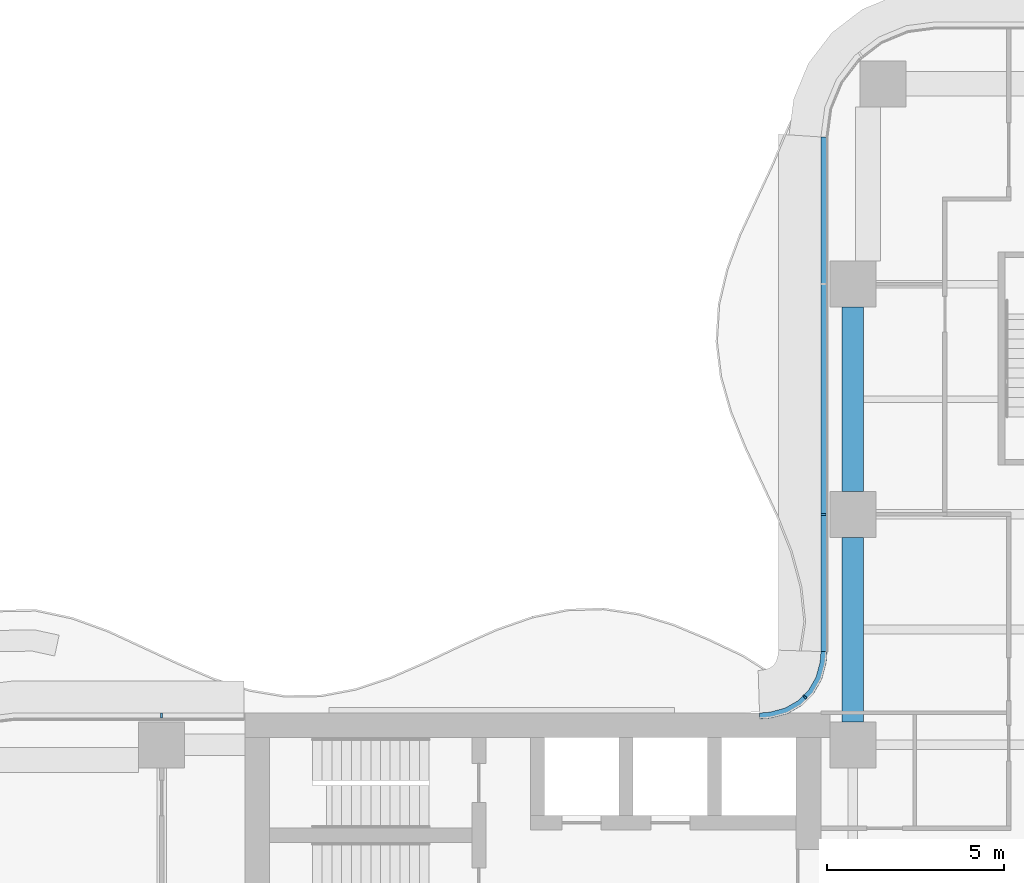
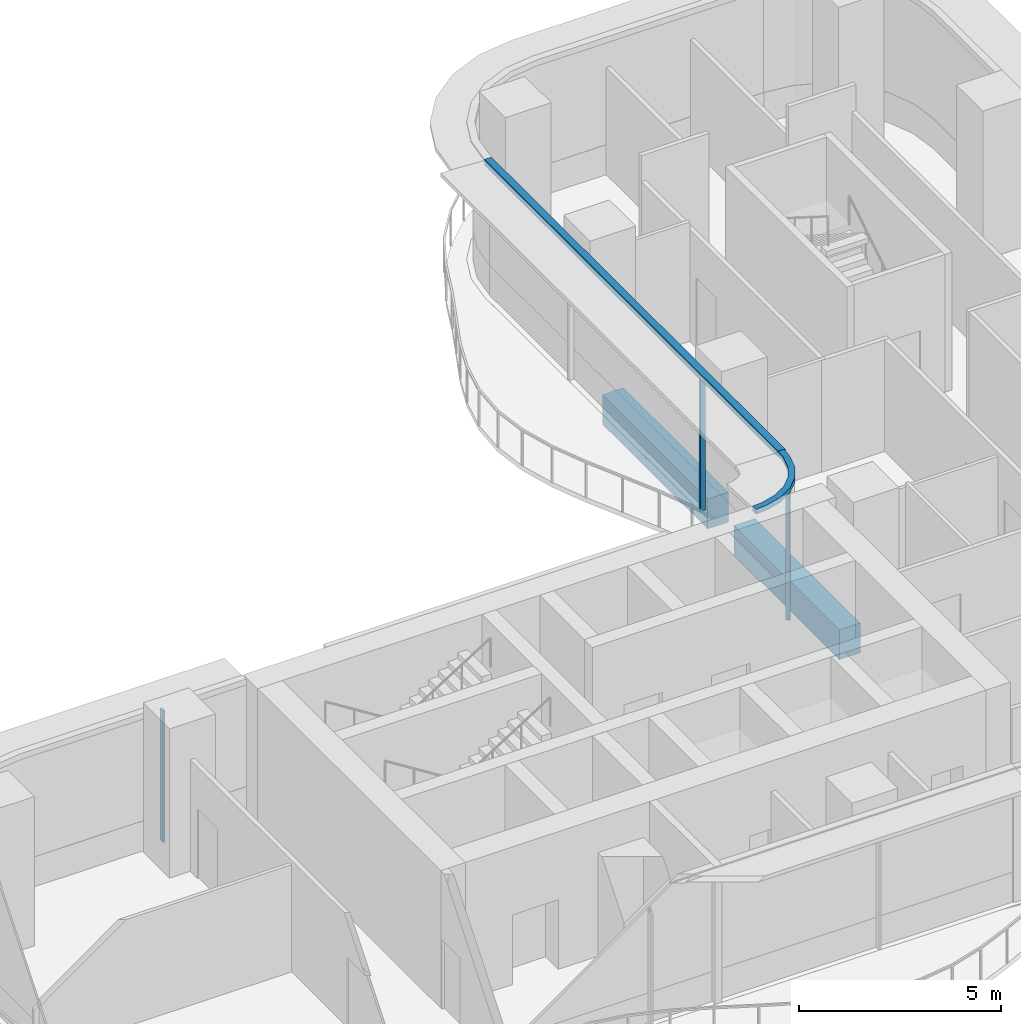
# One storey, part 8 of 20: 5 members, 2 beams, 3 elements without a shape of their own.
"""IFC4 building model written with IfcOpenShell, lengths in metres."""

import ifcopenshell
import ifcopenshell.guid

model = None  # the IFC model being written
_history = None  # IfcOwnerHistory: only IFC2X3 demands one
_inside = {}  # id of a spatial element -> (the spatial element, [elements in it])
_under = {}  # id of a project, library or spatial element -> (it, [spatial elements below it])
_declared = {}  # id of a project -> (the project, [libraries it declares])
_typed = {}  # id of a type object -> (the type object, [elements of that type])
_made_of = {}  # id of a material, layer set ... -> (it, [elements and type objects made of it])


def new_model(schema):
    """Start an empty IFC model of exactly this schema.

    Asked for "IFC4X3", IfcOpenShell would pick the latest addendum, in which some entities
    have other attributes; the version numbers below select the first issue.
    IFC2X3 requires an IfcOwnerHistory on every rooted entity: one is made here for all.
    """
    global model, _history
    if schema == "IFC4X3":
        model = ifcopenshell.file(schema_version=(4, 3, 0, 0))
    else:
        model = ifcopenshell.file(schema=schema)
    _inside.clear()
    _under.clear()
    _declared.clear()
    _typed.clear()
    _made_of.clear()
    _history = None
    if model.schema == "IFC2X3":
        org = make("IfcOrganization", Name="unknown")
        user = make(
            "IfcPersonAndOrganization",
            ThePerson=make("IfcPerson", FamilyName="unknown"),
            TheOrganization=org,
        )
        app = make(
            "IfcApplication",
            ApplicationDeveloper=org,
            Version="unknown",
            ApplicationFullName="unknown",
            ApplicationIdentifier="unknown",
        )
        _history = make(
            "IfcOwnerHistory",
            OwningUser=user,
            OwningApplication=app,
            ChangeAction="ADDED",
            CreationDate=0,
        )
    return model


def make(cls, **values):
    """One entity of the class cls with the attributes given. An attribute that is None is left unset."""
    return model.create_entity(
        cls, **{name: value for name, value in values.items() if value is not None}
    )


def rooted(cls, **values):
    """An entity with a GlobalId (a new one), such as an element, a storey or a relation."""
    return make(cls, GlobalId=ifcopenshell.guid.new(), OwnerHistory=_history, **values)


def si_unit(unit_type, name, prefix=None):
    """IfcSIUnit, for example si_unit("LENGTHUNIT", "METRE", prefix="MILLI")."""
    return make("IfcSIUnit", UnitType=unit_type, Prefix=prefix, Name=name)


def assignment(units):
    """IfcUnitAssignment: the units of a project."""
    return None if units is None else make("IfcUnitAssignment", Units=units)


def point(xyz):
    """IfcCartesianPoint."""
    return None if xyz is None else make("IfcCartesianPoint", Coordinates=xyz)


def direction(xyz):
    """IfcDirection."""
    return None if xyz is None else make("IfcDirection", DirectionRatios=xyz)


def frame(location, z_axis=None, x_axis=None):
    """IfcAxis2Placement3D, a coordinate frame: its origin and axes. An axis left out is left unset."""
    return make(
        "IfcAxis2Placement3D",
        Location=point(location),
        Axis=direction(z_axis),
        RefDirection=direction(x_axis),
    )


def frame_2d(location, x_axis=None):
    """IfcAxis2Placement2D, a coordinate frame in the plane: its origin and x axis."""
    return make(
        "IfcAxis2Placement2D", Location=point(location), RefDirection=direction(x_axis)
    )


def origin():
    """The frame at (0, 0, 0) with its axes left unset."""
    return frame((0.0, 0.0, 0.0))


def origin_2d():
    """The frame at (0, 0) in the plane with its x axis left unset."""
    return frame_2d((0.0, 0.0))


def place(relative_to, where):
    """IfcLocalPlacement: puts the frame where relative to a parent placement (None: the world)."""
    return make(
        "IfcLocalPlacement", PlacementRelTo=relative_to, RelativePlacement=where
    )


def context(
    kind, dimensions, precision=None, world=None, true_north=None, identifier=None
):
    """IfcGeometricRepresentationContext, for example the 3D "Model" context."""
    return make(
        "IfcGeometricRepresentationContext",
        ContextIdentifier=identifier,
        ContextType=kind,
        CoordinateSpaceDimension=dimensions,
        Precision=precision,
        WorldCoordinateSystem=world,
        TrueNorth=true_north,
    )


def subcontext(parent, identifier, kind, view, scale=None):
    """IfcGeometricRepresentationSubContext, for example "Body" below "Model"."""
    return make(
        "IfcGeometricRepresentationSubContext",
        ContextIdentifier=identifier,
        ContextType=kind,
        ParentContext=parent,
        TargetScale=scale,
        TargetView=view,
    )


def project(units=None, contexts=None):
    """IfcProject with its units and contexts."""
    return rooted(
        "IfcProject",
        Name="project",
        RepresentationContexts=contexts,
        UnitsInContext=assignment(units),
    )


def spatial(cls, under=None, at=None, **own):
    """A site, building, storey or space (cls), placed at a placement, below another one or the project."""
    s = rooted(cls, ObjectPlacement=at, **own)
    if under is not None:
        _under.setdefault(under.id(), (under, []))[1].append(s)
    return s


def polyline(points):
    """IfcPolyline through the points."""
    return make("IfcPolyline", Points=[point(p) for p in points])


def profile(cls, at=None, kind="AREA", **sizes):
    """A parametric profile (cls). Its sizes go by their IFC names, for example OverallWidth=200.0."""
    return make(cls, ProfileType=kind, Position=at, **sizes)


def rectangle(**sizes):
    """IfcRectangleProfileDef."""
    return profile("IfcRectangleProfileDef", **sizes)


def outline(outer, holes=None, kind="AREA"):
    """IfcArbitraryClosedProfileDef: a profile drawn as a closed curve; with holes, ...WithVoids."""
    if holes is None:
        return make("IfcArbitraryClosedProfileDef", ProfileType=kind, OuterCurve=outer)
    return make(
        "IfcArbitraryProfileDefWithVoids",
        ProfileType=kind,
        OuterCurve=outer,
        InnerCurves=holes,
    )


def extrude(swept, where, along, depth):
    """IfcExtrudedAreaSolid: the profile swept, set in the frame where, extruded along a direction by depth."""
    return make(
        "IfcExtrudedAreaSolid",
        SweptArea=swept,
        Position=where,
        ExtrudedDirection=direction(along),
        Depth=depth,
    )


def shape(context_of_items, identifier, shape_type, items):
    """IfcShapeRepresentation: the items that make up one representation, for example the "Body"."""
    return make(
        "IfcShapeRepresentation",
        ContextOfItems=context_of_items,
        RepresentationIdentifier=identifier,
        RepresentationType=shape_type,
        Items=items,
    )


def source(mapping_origin, context_of_items, identifier, shape_type, items):
    """IfcRepresentationMap: a shape defined once, which mapped items show again and again."""
    return make(
        "IfcRepresentationMap",
        MappingOrigin=mapping_origin,
        MappedRepresentation=shape(context_of_items, identifier, shape_type, items),
    )


def transform(
    local_origin,
    x_axis=None,
    y_axis=None,
    z_axis=None,
    scale=None,
    scale2=None,
    scale3=None,
    uniform=True,
):
    """IfcCartesianTransformationOperator3D, or its non-uniform kind. x_axis, y_axis, z_axis: its Axis1, 2, 3."""
    if uniform:
        return make(
            "IfcCartesianTransformationOperator3D",
            Axis1=direction(x_axis),
            Axis2=direction(y_axis),
            LocalOrigin=point(local_origin),
            Scale=scale,
            Axis3=direction(z_axis),
        )
    return make(
        "IfcCartesianTransformationOperator3DnonUniform",
        Axis1=direction(x_axis),
        Axis2=direction(y_axis),
        LocalOrigin=point(local_origin),
        Scale=scale,
        Axis3=direction(z_axis),
        Scale2=scale2,
        Scale3=scale3,
    )


def mapped(mapping_source, mapping_target):
    """IfcMappedItem: shows the shape of a source again, moved by a transform."""
    return make(
        "IfcMappedItem", MappingSource=mapping_source, MappingTarget=mapping_target
    )


def material(Name=None, Category=None):
    """IfcMaterial."""
    return make("IfcMaterial", Name=Name, Category=Category)


def layer(
    of_material, thickness, ventilated=None, Name=None, Category=None, Priority=None
):
    """IfcMaterialLayer: one layer of a wall or slab, of a material (None: an air gap)."""
    return make(
        "IfcMaterialLayer",
        Material=of_material,
        LayerThickness=thickness,
        IsVentilated=ventilated,
        Name=Name,
        Category=Category,
        Priority=Priority,
    )


def layer_set(layers, Name=None):
    """IfcMaterialLayerSet."""
    return make("IfcMaterialLayerSet", MaterialLayers=layers, LayerSetName=Name)


def material_profile(
    of_material, cross_section, Name=None, Category=None, Priority=None
):
    """IfcMaterialProfile: a cross section and its material."""
    return make(
        "IfcMaterialProfile",
        Name=Name,
        Material=of_material,
        Profile=cross_section,
        Priority=Priority,
        Category=Category,
    )


def profile_set(profiles, Name=None, composite=None):
    """IfcMaterialProfileSet."""
    return make(
        "IfcMaterialProfileSet",
        Name=Name,
        MaterialProfiles=profiles,
        CompositeProfile=composite,
    )


def made_of(thing, what):
    """Note that an element or type object is made of a material, layer set ...; save() writes the relation."""
    if what is not None:
        _made_of.setdefault(what.id(), (what, []))[1].append(thing)
    return thing


def type_object(cls, material=None, **own):
    """A type object (cls), such as IfcWallType, which elements share."""
    return made_of(rooted(cls, **own), material)


def element(
    cls,
    number,
    at=None,
    inside=None,
    cuts=None,
    type_object=None,
    material=None,
    context=None,
    identifier="Body",
    shape_type=None,
    held_by="IfcProductDefinitionShape",
    body=None,
    shapes=None,
    **own,
):
    """One element of the class cls, such as IfcWall. Its Tag is "e" and its number.

    at: its placement. inside: the storey or other place that contains it. cuts: it is an
    opening in that element (IfcRelVoidsElement). A single representation is given by context,
    identifier, shape_type and body (its items); several are given by shapes. held_by: the class
    of the entity that holds the representations. save() writes the other relations.
    """
    e = rooted(cls, Tag="e%d" % number, ObjectPlacement=at, **own)
    if body is not None:
        shapes = [shape(context, identifier, shape_type, body)]
    if shapes is not None:
        e.Representation = make(held_by, Representations=shapes)
    if inside is not None:
        _inside.setdefault(inside.id(), (inside, []))[1].append(e)
    if cuts is not None:
        rooted(
            "IfcRelVoidsElement", RelatingBuildingElement=cuts, RelatedOpeningElement=e
        )
    if type_object is not None:
        _typed.setdefault(type_object.id(), (type_object, []))[1].append(e)
    return made_of(e, material)


def aggregate(whole, parts):
    """IfcRelAggregates: a whole, such as a stair, and the parts it consists of."""
    return rooted("IfcRelAggregates", RelatingObject=whole, RelatedObjects=parts)


def save(model, path):
    """Write the relations noted so far, then the file.

    IfcRelAggregates (storeys below a building ...), IfcRelContainedInSpatialStructure (elements
    in a storey), IfcRelDefinesByType, IfcRelAssociatesMaterial and IfcRelDeclares: one each for
    every whole, place, type object, material and project.
    """
    for whole, parts in _under.values():
        aggregate(whole, parts)
    for where, things in _inside.values():
        rooted(
            "IfcRelContainedInSpatialStructure",
            RelatedElements=things,
            RelatingStructure=where,
        )
    for kind, things in _typed.values():
        rooted("IfcRelDefinesByType", RelatedObjects=things, RelatingType=kind)
    for what, things in _made_of.values():
        rooted("IfcRelAssociatesMaterial", RelatedObjects=things, RelatingMaterial=what)
    for by, libraries in _declared.values():
        rooted("IfcRelDeclares", RelatingContext=by, RelatedDefinitions=libraries)
    model.write(path)


model = new_model("IFC4")

# Units and contexts
model_context = context("Model", 3, precision=1e-05, world=origin(), true_north=direction((0.0, 1.0)))
body_context = subcontext(model_context, "Body", "Model", "MODEL_VIEW")
ifc_project = project(units=[si_unit("LENGTHUNIT", "METRE"), si_unit("AREAUNIT", "SQUARE_METRE"), si_unit("VOLUMEUNIT", "CUBIC_METRE"), si_unit("PLANEANGLEUNIT", "RADIAN"), si_unit("MASSUNIT", "GRAM", prefix="KILO")], contexts=[model_context])

# Site, building, storey
site_placement = place(None, origin())
site = spatial("IfcSite", under=ifc_project, at=site_placement, CompositionType="ELEMENT")
building_placement = place(site_placement, origin())
building = spatial("IfcBuilding", under=site, at=building_placement, Name="Trellis Farm Tower", CompositionType="ELEMENT")
storey_placement = place(building_placement, frame((0.0, 0.0, 151.5)))
storey = spatial("IfcBuildingStorey", under=building, at=storey_placement, Name="L32", CompositionType="ELEMENT", Elevation=151.5)

# Beams
ifc_material_1 = material(Name="Concrete C60/75", Category="concrete")
ifc_material_profile_1 = material_profile(ifc_material_1, rectangle(XDim=0.60009765625, YDim=0.89990234375, at=origin_2d()), Name="RC spandrel beam 600x900 C60/75")
ifc_profile_set_1 = profile_set([ifc_material_profile_1], Name="Concrete C60/75")
beam_type = type_object("IfcBeamType", Name="RC spandrel beam 600x900 C60/75", PredefinedType="SPANDREL", material=ifc_profile_set_1)
shared_shape_1 = source(origin(), body_context, "Body", "SweptSolid", [
    extrude(rectangle(XDim=0.60009765625, YDim=0.89990234375, at=origin_2d()), origin(), (0.0, 0.0, 1.0), 5.199951171875),
])
for number, where, z_axis, x_axis, name in (
    (1, (-5.60009765625, 6.25, -0.699951171875), (0.0, 1.0, 0.0), (-1.0, 0.0, 0.0), "Girder"),
    (2, (-5.60009765625, 12.75, -0.699951171875), (0.0, 1.0, 0.0), (-1.0, 0.0, 0.0), "Girder"),
):
    element("IfcBeam", number, at=place(storey_placement, frame(where, z_axis=z_axis, x_axis=x_axis)), inside=storey, type_object=beam_type, Name=name, PredefinedType="SPANDREL", context=body_context, shape_type="MappedRepresentation", body=[
        mapped(shared_shape_1, transform((0.0, 0.0, 0.0))),
    ])

# Curtain wall, member
ifc_material_2 = material(Name="Aluminium and glass curtain wall", Category="aluminium")
ifc_layer_1 = layer(ifc_material_2, 0.166015625)
ifc_layer_set_1 = layer_set([ifc_layer_1], Name="WINTER GARDEN CURTAIN WALL CW3")
curtain_wall_type_1 = type_object("IfcCurtainWallType", Name="WINTER GARDEN CURTAIN WALL CW3", PredefinedType="NOTDEFINED", material=ifc_layer_set_1)
placement = place(storey_placement, origin())
curtain_wall_1 = element("IfcCurtainWall", 3, at=placement, inside=storey, type_object=curtain_wall_type_1, Name="CW3 004", PredefinedType="NOTDEFINED")
ifc_material_3 = material(Name="Aluminium extrusion 6063-T6", Category="aluminium")
ifc_layer_2 = layer(ifc_material_3, 0.169921875)
ifc_layer_set_2 = layer_set([ifc_layer_2], Name="Aluminium extrusion 6063-T6")
member_type_1 = type_object("IfcMemberType", Name="CW3 TRANSOM 170x150", PredefinedType="USERDEFINED", material=ifc_layer_set_2)
shared_shape_2 = source(origin(), body_context, "Body", "SweptSolid", [
    extrude(outline(polyline([(-6.5, 8.2314453125), (-6.513916015625, 8.01953125), (-6.527587890625, 7.91552734375), (-6.63671875, 7.508544921875), (-6.846923828125, 7.144287109375), (-7.144287109375, 6.846923828125), (-7.508544921875, 6.63671875), (-7.91552734375, 6.527587890625), (-8.01953125, 6.513916015625), (-8.2314453125, 6.5), (-8.225830078125, 6.330078125), (-8.0029296875, 6.3447265625), (-7.88232421875, 6.360595703125), (-7.44287109375, 6.478271484375), (-7.0400390625, 6.7109375), (-6.7109375, 7.0400390625), (-6.478271484375, 7.44287109375), (-6.360595703125, 7.88232421875), (-6.3447265625, 8.0029296875), (-6.330078125, 8.225830078125), (-6.5, 8.2314453125)])), origin(), (0.0, 0.0, 1.0), 0.14990234375),
])
member_1_placement = place(storey_placement, frame((0.0, 0.0, 4.0)))
member_1 = element("IfcMember", 4, at=member_1_placement, type_object=member_type_1, Name="TR3 004", ObjectType="TRANSOM", PredefinedType="USERDEFINED", context=body_context, shape_type="MappedRepresentation", body=[
    mapped(shared_shape_2, transform((0.0, 0.0, 0.0))),
])

# Curtain wall, members
ifc_layer_3 = layer(ifc_material_2, 0.18994140625)
ifc_layer_set_3 = layer_set([ifc_layer_3], Name="RIBBON CURTAIN WALL CW1")
curtain_wall_type_2 = type_object("IfcCurtainWallType", Name="RIBBON CURTAIN WALL CW1", PredefinedType="NOTDEFINED", material=ifc_layer_set_3)
curtain_wall_2 = element("IfcCurtainWall", 5, at=placement, inside=storey, type_object=curtain_wall_type_2, Name="CW1 012", PredefinedType="NOTDEFINED")
ifc_layer_4 = layer(ifc_material_3, 0.199951171875)
ifc_layer_set_4 = layer_set([ifc_layer_4], Name="Aluminium extrusion 6063-T6")
member_type_2 = type_object("IfcMemberType", Name="CW1 TRANSOM 200x180", PredefinedType="USERDEFINED", material=ifc_layer_set_4)
shared_shape_3 = source(origin(), body_context, "Body", "SweptSolid", [
    extrude(outline(polyline([(-6.5, 22.75), (-6.5, 8.2314453125), (-6.300048828125, 8.224853515625), (-6.300048828125, 22.73681640625), (-6.5, 22.75)])), origin(), (0.0, 0.0, 1.0), 0.179931640625),
])
member_2_placement = place(storey_placement, frame((0.0, 0.0, 3.969970703125)))
member_2 = element("IfcMember", 6, at=member_2_placement, type_object=member_type_2, Name="TR1 012", ObjectType="TRANSOM", PredefinedType="USERDEFINED", context=body_context, shape_type="MappedRepresentation", body=[
    mapped(shared_shape_3, transform((0.0, 0.0, 0.0))),
])
ifc_material_profile_2 = material_profile(ifc_material_3, rectangle(XDim=0.06005859375, YDim=0.14990234375, at=origin_2d()), Name="MULLION 60x150")
ifc_profile_set_2 = profile_set([ifc_material_profile_2], Name="Aluminium extrusion 6063-T6")
member_type_3 = type_object("IfcMemberType", Name="CW1 MULLION 60x150", PredefinedType="MULLION", material=ifc_profile_set_2)
shared_shape_4 = source(origin(), body_context, "Body", "SweptSolid", [
    extrude(rectangle(XDim=0.06005859375, YDim=0.14990234375, at=origin_2d()), origin(), (0.0, 0.0, 1.0), 3.969970703125),
])
member_3_placement = place(storey_placement, frame((-6.425048828125, 12.10009765625, 0.0), z_axis=(0.0, 0.0, 1.0), x_axis=(0.0, -1.0, 0.0)))
member_3 = element("IfcMember", 7, at=member_3_placement, type_object=member_type_3, Name="MU1 012-02", PredefinedType="MULLION", context=body_context, shape_type="MappedRepresentation", body=[
    mapped(shared_shape_4, transform((0.0, 0.0, 0.0))),
])
aggregate(curtain_wall_2, [member_3, member_2])

# Curtain wall, member
curtain_wall_3 = element("IfcCurtainWall", 8, at=placement, inside=storey, type_object=curtain_wall_type_2, Name="CW1 013", PredefinedType="NOTDEFINED")
member_4_placement = place(storey_placement, frame((-25.10009765625, 6.425048828125, 0.0), z_axis=(0.0, 0.0, 1.0), x_axis=(-1.0, 0.0, 0.0)))
member_4 = element("IfcMember", 9, at=member_4_placement, type_object=member_type_3, Name="MU1 013-01", PredefinedType="MULLION", context=body_context, shape_type="MappedRepresentation", body=[
    mapped(shared_shape_4, transform((0.0, 0.0, 0.0))),
])
aggregate(curtain_wall_3, [member_4])

# Member
ifc_material_profile_3 = material_profile(ifc_material_3, rectangle(XDim=0.050048828125, YDim=0.1201171875, at=origin_2d()), Name="MULLION 50x120")
ifc_profile_set_3 = profile_set([ifc_material_profile_3], Name="Aluminium extrusion 6063-T6")
member_type_4 = type_object("IfcMemberType", Name="CW3 MULLION 50x120", PredefinedType="MULLION", material=ifc_profile_set_3)
shared_shape_5 = source(origin(), body_context, "Body", "SweptSolid", [
    extrude(rectangle(XDim=0.050048828125, YDim=0.1201171875, at=origin_2d()), origin(), (0.0, 0.0, 1.0), 4.0),
])
member_5_placement = place(storey_placement, frame((-6.953125, 6.953125, 0.0), z_axis=(0.0, 0.0, 1.0), x_axis=(-0.707106781187, -0.707106781187, 0.0)))
member_5 = element("IfcMember", 10, at=member_5_placement, type_object=member_type_4, Name="MU3 004-01", PredefinedType="MULLION", context=body_context, shape_type="MappedRepresentation", body=[
    mapped(shared_shape_5, transform((0.0, 0.0, 0.0))),
])

aggregate(curtain_wall_1, [member_5, member_1])

save(model, "model.ifc")
